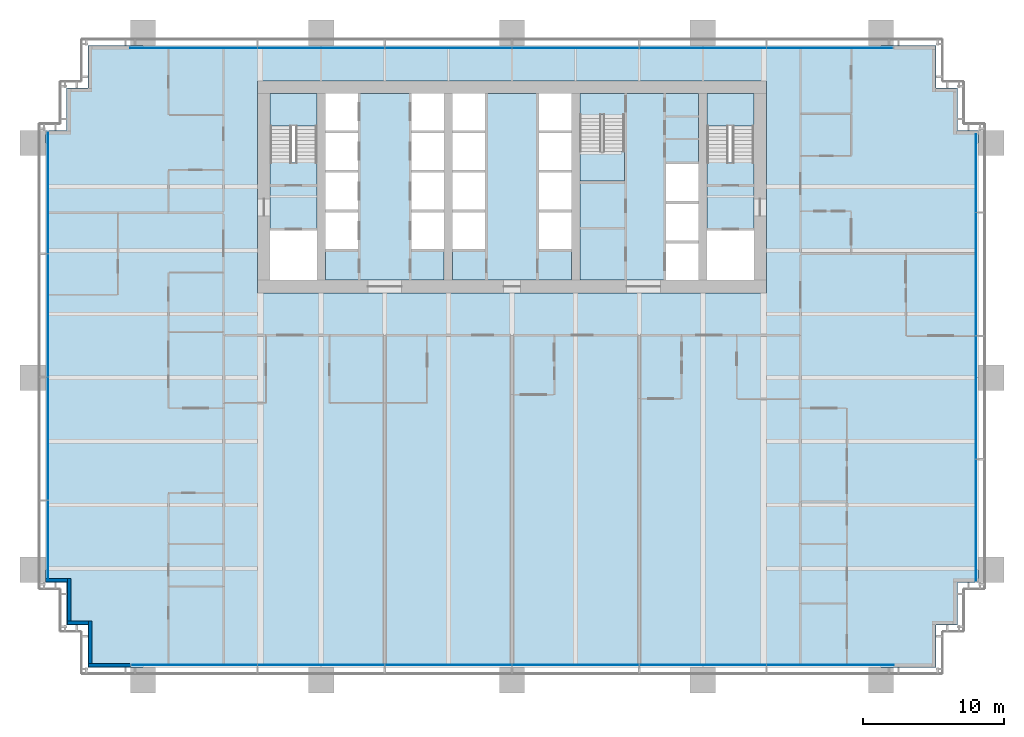
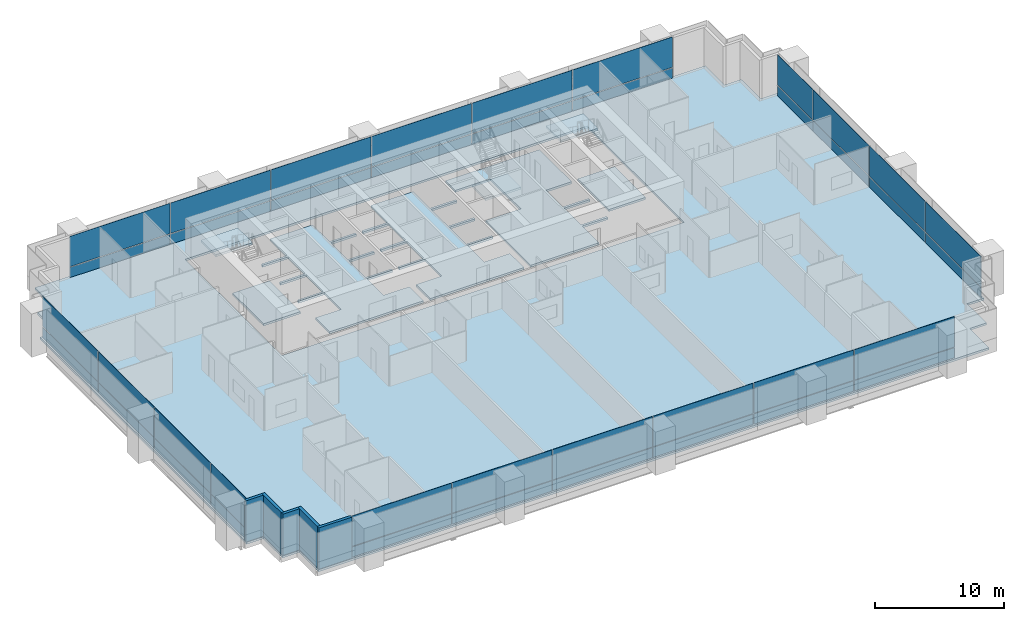
# One storey, part 10 of 20: 40 plates, 9 slabs, 5 walls, 7 elements without a shape of their own.
"""IFC4 building model written with IfcOpenShell, lengths in metres."""

from ifc_helpers import new_model, si_unit, direction, frame, frame_2d, origin, origin_2d, place, context, subcontext, project, spatial, polyline, rectangle, outline, extrude, material, layer, layer_set, type_object, element, aggregate, save


model = new_model("IFC4")

# Units and contexts
model_context = context("Model", 3, precision=1e-05, world=origin(), true_north=direction((0.0, 1.0)))
body_context = subcontext(model_context, "Body", "Model", "MODEL_VIEW")
ifc_project = project(units=[si_unit("LENGTHUNIT", "METRE"), si_unit("AREAUNIT", "SQUARE_METRE"), si_unit("VOLUMEUNIT", "CUBIC_METRE"), si_unit("PLANEANGLEUNIT", "RADIAN"), si_unit("MASSUNIT", "GRAM", prefix="KILO")], contexts=[model_context])

# Site, building, storey
site_placement = place(None, origin())
site = spatial("IfcSite", under=ifc_project, at=site_placement, CompositionType="ELEMENT")
building_placement = place(site_placement, origin())
building = spatial("IfcBuilding", under=site, at=building_placement, Name="Rattan Terrace Tower", CompositionType="ELEMENT")
storey_placement = place(building_placement, frame((0.0, 0.0, 40.60009765625)))
storey = spatial("IfcBuildingStorey", under=building, at=storey_placement, Name="L08", CompositionType="ELEMENT", Elevation=40.60009765625)

# Stair, slab
ifc_material_1 = material(Name="Concrete C40/50", Category="concrete")
stair_type = type_object("IfcStairType", Name="Core exit stair 1500", PredefinedType="HALF_TURN_STAIR", material=ifc_material_1)
stair_1_placement = place(storey_placement, origin())
stair_1 = element("IfcStair", 1, at=stair_1_placement, inside=storey, type_object=stair_type, Name="L08 exit stair 1", PredefinedType="HALF_TURN_STAIR")
ifc_material_2 = material(Name="Concrete C40/50", Category="concrete")
ifc_layer_1 = layer(ifc_material_2, 0.199951171875)
ifc_layer_set_1 = layer_set([ifc_layer_1], Name="Core exit stair landing")
slab_type_1 = type_object("IfcSlabType", Name="Core exit stair landing", PredefinedType="LANDING", material=ifc_layer_set_1)
slab_1_placement = place(storey_placement, frame((0.0, 0.0, 1.849853515625)))
slab_1 = element("IfcSlab", 2, at=slab_1_placement, type_object=slab_type_1, Name="S1 landing 1", PredefinedType="LANDING", context=body_context, shape_type="SweptSolid", body=[
    extrude(outline(polyline([(-13.800048828125, 4.300048828125), (-13.800048828125, 6.60009765625), (-17.10009765625, 6.60009765625), (-17.10009765625, 4.300048828125), (-13.800048828125, 4.300048828125)])), origin(), (0.0, 0.0, 1.0), 0.199951171875),
])
aggregate(stair_1, [slab_1])

stair_2_placement = place(storey_placement, origin())
stair_2 = element("IfcStair", 3, at=stair_2_placement, inside=storey, type_object=stair_type, Name="L08 exit stair 2", PredefinedType="HALF_TURN_STAIR")
slab_2_placement = place(storey_placement, frame((0.0, 0.0, 1.849853515625)))
slab_2 = element("IfcSlab", 4, at=slab_2_placement, type_object=slab_type_1, Name="S2 landing 1", PredefinedType="LANDING", context=body_context, shape_type="SweptSolid", body=[
    extrude(outline(polyline([(17.10009765625, 4.300048828125), (17.10009765625, 6.60009765625), (13.800048828125, 6.60009765625), (13.800048828125, 4.300048828125), (17.10009765625, 4.300048828125)])), origin(), (0.0, 0.0, 1.0), 0.199951171875),
])
aggregate(stair_2, [slab_2])

stair_3_placement = place(storey_placement, origin())
stair_3 = element("IfcStair", 5, at=stair_3_placement, inside=storey, type_object=stair_type, Name="L08 exit stair 3", PredefinedType="HALF_TURN_STAIR")
slab_3_placement = place(storey_placement, frame((0.0, 0.0, 1.849853515625)))
slab_3 = element("IfcSlab", 6, at=slab_3_placement, type_object=slab_type_1, Name="S3 landing 1", PredefinedType="LANDING", context=body_context, shape_type="SweptSolid", body=[
    extrude(outline(polyline([(4.800048828125, 2.5), (4.800048828125, 0.39990234375), (7.949951171875, 0.39990234375), (7.949951171875, 2.5), (4.800048828125, 2.5)])), origin(), (0.0, 0.0, 1.0), 0.199951171875),
])
aggregate(stair_3, [slab_3])

# Curtain wall, plates
ifc_material_3 = material(Name="Aluminium and glass", Category="aluminium")
curtain_wall_type = type_object("IfcCurtainWallType", Name="Facade Unitised Curtain Wall", PredefinedType="NOTDEFINED", material=ifc_material_3)
curtain_wall_1_placement = place(storey_placement, origin())
curtain_wall_1 = element("IfcCurtainWall", 7, at=curtain_wall_1_placement, inside=storey, type_object=curtain_wall_type, Name="Curtain wall L08-1", PredefinedType="NOTDEFINED")
ifc_material_4 = material(Name="Aluminium insulated spandrel panel", Category="aluminium")
ifc_layer_2 = layer(ifc_material_4, 0.028076171875)
ifc_layer_set_2 = layer_set([ifc_layer_2], Name="Facade CW Spandrel Panel")
plate_type_1 = type_object("IfcPlateType", Name="Facade CW Spandrel Panel", PredefinedType="CURTAIN_PANEL", material=ifc_layer_set_2)
plate_1_placement = place(storey_placement, frame((32.830078125, -23.59912109375, 0.0), z_axis=(0.0, 0.0, 1.0), x_axis=(0.0, 1.0, 0.0)))
plate_1 = element("IfcPlate", 8, at=plate_1_placement, type_object=plate_type_1, Name="Panel cwl-L08-001.1.1", PredefinedType="CURTAIN_PANEL", context=body_context, shape_type="SweptSolid", body=[
    extrude(rectangle(XDim=8.592041015625, YDim=0.028076171875, at=origin_2d()), origin(), (0.0, 0.0, 1.0), 0.969970703125),
])
plate_2_placement = place(storey_placement, frame((32.830078125, -14.909423828125, 0.0), z_axis=(0.0, 0.0, 1.0), x_axis=(0.0, 1.0, 0.0)))
plate_2 = element("IfcPlate", 9, at=plate_2_placement, type_object=plate_type_1, Name="Panel cwl-L08-001.2.1", PredefinedType="CURTAIN_PANEL", context=body_context, shape_type="SweptSolid", body=[
    extrude(rectangle(XDim=8.6669921875, YDim=0.028076171875, at=origin_2d()), origin(), (0.0, 0.0, 1.0), 0.969970703125),
])
plate_3_placement = place(storey_placement, frame((32.830078125, -6.1826171875, 0.0), z_axis=(0.0, 0.0, 1.0), x_axis=(0.0, 1.0, 0.0)))
plate_3 = element("IfcPlate", 10, at=plate_3_placement, type_object=plate_type_1, Name="Panel cwl-L08-001.3.1", PredefinedType="CURTAIN_PANEL", context=body_context, shape_type="SweptSolid", body=[
    extrude(rectangle(XDim=8.6669921875, YDim=0.028076171875, at=origin_2d()), origin(), (0.0, 0.0, 1.0), 0.969970703125),
])
plate_4_placement = place(storey_placement, frame((32.830078125, 0.9580078125, 0.0), z_axis=(0.0, 0.0, 1.0), x_axis=(0.0, 1.0, 0.0)))
plate_4 = element("IfcPlate", 11, at=plate_4_placement, type_object=plate_type_1, Name="Panel cwl-L08-001.4.1", PredefinedType="CURTAIN_PANEL", context=body_context, shape_type="SweptSolid", body=[
    extrude(rectangle(XDim=5.493896484375, YDim=0.028076171875, at=origin_2d()), origin(), (0.0, 0.0, 1.0), 0.969970703125),
])

curtain_wall_2_placement = place(storey_placement, origin())
curtain_wall_2 = element("IfcCurtainWall", 12, at=curtain_wall_2_placement, inside=storey, type_object=curtain_wall_type, Name="Curtain wall L08-2", PredefinedType="NOTDEFINED")
plate_5_placement = place(storey_placement, frame((22.485107421875, 9.830078125, 0.0), z_axis=(0.0, 0.0, 1.0), x_axis=(-1.0, 0.0, 0.0)))
plate_5 = element("IfcPlate", 13, at=plate_5_placement, type_object=plate_type_1, Name="Panel cwl-L08-002.1.1", PredefinedType="CURTAIN_PANEL", context=body_context, shape_type="SweptSolid", body=[
    extrude(rectangle(XDim=8.909912109375, YDim=0.028076171875, at=origin_2d()), origin(), (0.0, 0.0, 1.0), 0.969970703125),
])
plate_6_placement = place(storey_placement, frame((13.5, 9.830078125, 0.0), z_axis=(0.0, 0.0, 1.0), x_axis=(-1.0, 0.0, 0.0)))
plate_6 = element("IfcPlate", 14, at=plate_6_placement, type_object=plate_type_1, Name="Panel cwl-L08-002.2.1", PredefinedType="CURTAIN_PANEL", context=body_context, shape_type="SweptSolid", body=[
    extrude(rectangle(XDim=8.93994140625, YDim=0.028076171875, at=origin_2d()), origin(), (0.0, 0.0, 1.0), 0.969970703125),
])
plate_7_placement = place(storey_placement, frame((4.5, 9.830078125, 0.0), z_axis=(0.0, 0.0, 1.0), x_axis=(-1.0, 0.0, 0.0)))
plate_7 = element("IfcPlate", 15, at=plate_7_placement, type_object=plate_type_1, Name="Panel cwl-L08-002.3.1", PredefinedType="CURTAIN_PANEL", context=body_context, shape_type="SweptSolid", body=[
    extrude(rectangle(XDim=8.93994140625, YDim=0.028076171875, at=origin_2d()), origin(), (0.0, 0.0, 1.0), 0.969970703125),
])
plate_8_placement = place(storey_placement, frame((-4.5, 9.830078125, 0.0), z_axis=(0.0, 0.0, 1.0), x_axis=(-1.0, 0.0, 0.0)))
plate_8 = element("IfcPlate", 16, at=plate_8_placement, type_object=plate_type_1, Name="Panel cwl-L08-002.4.1", PredefinedType="CURTAIN_PANEL", context=body_context, shape_type="SweptSolid", body=[
    extrude(rectangle(XDim=8.93994140625, YDim=0.028076171875, at=origin_2d()), origin(), (0.0, 0.0, 1.0), 0.969970703125),
])
plate_9_placement = place(storey_placement, frame((-13.5, 9.830078125, 0.0), z_axis=(0.0, 0.0, 1.0), x_axis=(-1.0, 0.0, 0.0)))
plate_9 = element("IfcPlate", 17, at=plate_9_placement, type_object=plate_type_1, Name="Panel cwl-L08-002.5.1", PredefinedType="CURTAIN_PANEL", context=body_context, shape_type="SweptSolid", body=[
    extrude(rectangle(XDim=8.93994140625, YDim=0.028076171875, at=origin_2d()), origin(), (0.0, 0.0, 1.0), 0.969970703125),
])
plate_10_placement = place(storey_placement, frame((-22.514892578125, 9.830078125, 0.0), z_axis=(0.0, 0.0, 1.0), x_axis=(-1.0, 0.0, 0.0)))
plate_10 = element("IfcPlate", 18, at=plate_10_placement, type_object=plate_type_1, Name="Panel cwl-L08-002.6.1", PredefinedType="CURTAIN_PANEL", context=body_context, shape_type="SweptSolid", body=[
    extrude(rectangle(XDim=8.969970703125, YDim=0.028076171875, at=origin_2d()), origin(), (0.0, 0.0, 1.0), 0.969970703125),
])

curtain_wall_3_placement = place(storey_placement, origin())
curtain_wall_3 = element("IfcCurtainWall", 19, at=curtain_wall_3_placement, inside=storey, type_object=curtain_wall_type, Name="Curtain wall L08-3", PredefinedType="NOTDEFINED")
plate_11_placement = place(storey_placement, frame((-32.830078125, -0.40087890625, 0.0), z_axis=(0.0, 0.0, 1.0), x_axis=(0.0, -1.0, 0.0)))
plate_11 = element("IfcPlate", 20, at=plate_11_placement, type_object=plate_type_1, Name="Panel cwl-L08-003.1.1", PredefinedType="CURTAIN_PANEL", context=body_context, shape_type="SweptSolid", body=[
    extrude(rectangle(XDim=8.592041015625, YDim=0.028076171875, at=origin_2d()), origin(), (0.0, 0.0, 1.0), 0.969970703125),
])
plate_12_placement = place(storey_placement, frame((-32.830078125, -9.090576171875, 0.0), z_axis=(0.0, 0.0, 1.0), x_axis=(0.0, -1.0, 0.0)))
plate_12 = element("IfcPlate", 21, at=plate_12_placement, type_object=plate_type_1, Name="Panel cwl-L08-003.2.1", PredefinedType="CURTAIN_PANEL", context=body_context, shape_type="SweptSolid", body=[
    extrude(rectangle(XDim=8.6669921875, YDim=0.028076171875, at=origin_2d()), origin(), (0.0, 0.0, 1.0), 0.969970703125),
])
plate_13_placement = place(storey_placement, frame((-32.830078125, -17.8173828125, 0.0), z_axis=(0.0, 0.0, 1.0), x_axis=(0.0, -1.0, 0.0)))
plate_13 = element("IfcPlate", 22, at=plate_13_placement, type_object=plate_type_1, Name="Panel cwl-L08-003.3.1", PredefinedType="CURTAIN_PANEL", context=body_context, shape_type="SweptSolid", body=[
    extrude(rectangle(XDim=8.6669921875, YDim=0.028076171875, at=origin_2d()), origin(), (0.0, 0.0, 1.0), 0.969970703125),
])
plate_14_placement = place(storey_placement, frame((-32.830078125, -24.9580078125, 0.0), z_axis=(0.0, 0.0, 1.0), x_axis=(0.0, -1.0, 0.0)))
plate_14 = element("IfcPlate", 23, at=plate_14_placement, type_object=plate_type_1, Name="Panel cwl-L08-003.4.1", PredefinedType="CURTAIN_PANEL", context=body_context, shape_type="SweptSolid", body=[
    extrude(rectangle(XDim=5.493896484375, YDim=0.028076171875, at=origin_2d()), origin(), (0.0, 0.0, 1.0), 0.969970703125),
])

curtain_wall_4_placement = place(storey_placement, origin())
curtain_wall_4 = element("IfcCurtainWall", 24, at=curtain_wall_4_placement, inside=storey, type_object=curtain_wall_type, Name="Curtain wall L08-4", PredefinedType="NOTDEFINED")
plate_15_placement = place(storey_placement, frame((-22.485107421875, -33.830078125, 0.0), z_axis=(0.0, 0.0, 1.0), x_axis=(1.0, 0.0, 0.0)))
plate_15 = element("IfcPlate", 25, at=plate_15_placement, type_object=plate_type_1, Name="Panel cwl-L08-004.1.1", PredefinedType="CURTAIN_PANEL", context=body_context, shape_type="SweptSolid", body=[
    extrude(rectangle(XDim=8.909912109375, YDim=0.028076171875, at=origin_2d()), origin(), (0.0, 0.0, 1.0), 0.969970703125),
])
plate_16_placement = place(storey_placement, frame((-13.5, -33.830078125, 0.0), z_axis=(0.0, 0.0, 1.0), x_axis=(1.0, 0.0, 0.0)))
plate_16 = element("IfcPlate", 26, at=plate_16_placement, type_object=plate_type_1, Name="Panel cwl-L08-004.2.1", PredefinedType="CURTAIN_PANEL", context=body_context, shape_type="SweptSolid", body=[
    extrude(rectangle(XDim=8.93994140625, YDim=0.028076171875, at=origin_2d()), origin(), (0.0, 0.0, 1.0), 0.969970703125),
])
plate_17_placement = place(storey_placement, frame((-4.5, -33.830078125, 0.0), z_axis=(0.0, 0.0, 1.0), x_axis=(1.0, 0.0, 0.0)))
plate_17 = element("IfcPlate", 27, at=plate_17_placement, type_object=plate_type_1, Name="Panel cwl-L08-004.3.1", PredefinedType="CURTAIN_PANEL", context=body_context, shape_type="SweptSolid", body=[
    extrude(rectangle(XDim=8.93994140625, YDim=0.028076171875, at=origin_2d()), origin(), (0.0, 0.0, 1.0), 0.969970703125),
])
plate_18_placement = place(storey_placement, frame((4.5, -33.830078125, 0.0), z_axis=(0.0, 0.0, 1.0), x_axis=(1.0, 0.0, 0.0)))
plate_18 = element("IfcPlate", 28, at=plate_18_placement, type_object=plate_type_1, Name="Panel cwl-L08-004.4.1", PredefinedType="CURTAIN_PANEL", context=body_context, shape_type="SweptSolid", body=[
    extrude(rectangle(XDim=8.93994140625, YDim=0.028076171875, at=origin_2d()), origin(), (0.0, 0.0, 1.0), 0.969970703125),
])
plate_19_placement = place(storey_placement, frame((13.5, -33.830078125, 0.0), z_axis=(0.0, 0.0, 1.0), x_axis=(1.0, 0.0, 0.0)))
plate_19 = element("IfcPlate", 29, at=plate_19_placement, type_object=plate_type_1, Name="Panel cwl-L08-004.5.1", PredefinedType="CURTAIN_PANEL", context=body_context, shape_type="SweptSolid", body=[
    extrude(rectangle(XDim=8.93994140625, YDim=0.028076171875, at=origin_2d()), origin(), (0.0, 0.0, 1.0), 0.969970703125),
])
plate_20_placement = place(storey_placement, frame((22.514892578125, -33.830078125, 0.0), z_axis=(0.0, 0.0, 1.0), x_axis=(1.0, 0.0, 0.0)))
plate_20 = element("IfcPlate", 30, at=plate_20_placement, type_object=plate_type_1, Name="Panel cwl-L08-004.6.1", PredefinedType="CURTAIN_PANEL", context=body_context, shape_type="SweptSolid", body=[
    extrude(rectangle(XDim=8.969970703125, YDim=0.028076171875, at=origin_2d()), origin(), (0.0, 0.0, 1.0), 0.969970703125),
])

# Plate
ifc_material_5 = material(Name="Clear low-iron glass", Category="glass")
ifc_layer_3 = layer(ifc_material_5, 0.028076171875)
ifc_layer_set_3 = layer_set([ifc_layer_3], Name="Facade CW Vision Panel")
plate_type_2 = type_object("IfcPlateType", Name="Facade CW Vision Panel", PredefinedType="CURTAIN_PANEL", material=ifc_layer_set_3)
plate_21_placement = place(storey_placement, frame((32.830078125, -23.59912109375, 1.02978515625), z_axis=(0.0, 0.0, 1.0), x_axis=(0.0, 1.0, 0.0)))
plate_21 = element("IfcPlate", 31, at=plate_21_placement, type_object=plate_type_2, Name="Panel cwl-L08-001.1.2", PredefinedType="CURTAIN_PANEL", context=body_context, shape_type="SweptSolid", body=[
    extrude(rectangle(XDim=8.592041015625, YDim=0.028076171875, at=origin_2d()), origin(), (0.0, 0.0, 1.0), 2.8701171875),
])

plate_22_placement = place(storey_placement, frame((32.830078125, -14.909423828125, 1.02978515625), z_axis=(0.0, 0.0, 1.0), x_axis=(0.0, 1.0, 0.0)))
plate_22 = element("IfcPlate", 32, at=plate_22_placement, type_object=plate_type_2, Name="Panel cwl-L08-001.2.2", PredefinedType="CURTAIN_PANEL", context=body_context, shape_type="SweptSolid", body=[
    extrude(rectangle(XDim=8.6669921875, YDim=0.028076171875, at=origin_2d()), origin(), (0.0, 0.0, 1.0), 2.8701171875),
])

plate_23_placement = place(storey_placement, frame((32.830078125, -6.1826171875, 1.02978515625), z_axis=(0.0, 0.0, 1.0), x_axis=(0.0, 1.0, 0.0)))
plate_23 = element("IfcPlate", 33, at=plate_23_placement, type_object=plate_type_2, Name="Panel cwl-L08-001.3.2", PredefinedType="CURTAIN_PANEL", context=body_context, shape_type="SweptSolid", body=[
    extrude(rectangle(XDim=8.6669921875, YDim=0.028076171875, at=origin_2d()), origin(), (0.0, 0.0, 1.0), 2.8701171875),
])

plate_24_placement = place(storey_placement, frame((32.830078125, 0.9580078125, 1.02978515625), z_axis=(0.0, 0.0, 1.0), x_axis=(0.0, 1.0, 0.0)))
plate_24 = element("IfcPlate", 34, at=plate_24_placement, type_object=plate_type_2, Name="Panel cwl-L08-001.4.2", PredefinedType="CURTAIN_PANEL", context=body_context, shape_type="SweptSolid", body=[
    extrude(rectangle(XDim=5.493896484375, YDim=0.028076171875, at=origin_2d()), origin(), (0.0, 0.0, 1.0), 2.8701171875),
])

aggregate(curtain_wall_1, [plate_1, plate_21, plate_2, plate_22, plate_3, plate_23, plate_4, plate_24])

plate_25_placement = place(storey_placement, frame((22.485107421875, 9.830078125, 1.02978515625), z_axis=(0.0, 0.0, 1.0), x_axis=(-1.0, 0.0, 0.0)))
plate_25 = element("IfcPlate", 35, at=plate_25_placement, type_object=plate_type_2, Name="Panel cwl-L08-002.1.2", PredefinedType="CURTAIN_PANEL", context=body_context, shape_type="SweptSolid", body=[
    extrude(rectangle(XDim=8.909912109375, YDim=0.028076171875, at=origin_2d()), origin(), (0.0, 0.0, 1.0), 2.8701171875),
])

plate_26_placement = place(storey_placement, frame((13.5, 9.830078125, 1.02978515625), z_axis=(0.0, 0.0, 1.0), x_axis=(-1.0, 0.0, 0.0)))
plate_26 = element("IfcPlate", 36, at=plate_26_placement, type_object=plate_type_2, Name="Panel cwl-L08-002.2.2", PredefinedType="CURTAIN_PANEL", context=body_context, shape_type="SweptSolid", body=[
    extrude(rectangle(XDim=8.93994140625, YDim=0.028076171875, at=origin_2d()), origin(), (0.0, 0.0, 1.0), 2.8701171875),
])

plate_27_placement = place(storey_placement, frame((4.5, 9.830078125, 1.02978515625), z_axis=(0.0, 0.0, 1.0), x_axis=(-1.0, 0.0, 0.0)))
plate_27 = element("IfcPlate", 37, at=plate_27_placement, type_object=plate_type_2, Name="Panel cwl-L08-002.3.2", PredefinedType="CURTAIN_PANEL", context=body_context, shape_type="SweptSolid", body=[
    extrude(rectangle(XDim=8.93994140625, YDim=0.028076171875, at=origin_2d()), origin(), (0.0, 0.0, 1.0), 2.8701171875),
])

plate_28_placement = place(storey_placement, frame((-4.5, 9.830078125, 1.02978515625), z_axis=(0.0, 0.0, 1.0), x_axis=(-1.0, 0.0, 0.0)))
plate_28 = element("IfcPlate", 38, at=plate_28_placement, type_object=plate_type_2, Name="Panel cwl-L08-002.4.2", PredefinedType="CURTAIN_PANEL", context=body_context, shape_type="SweptSolid", body=[
    extrude(rectangle(XDim=8.93994140625, YDim=0.028076171875, at=origin_2d()), origin(), (0.0, 0.0, 1.0), 2.8701171875),
])

plate_29_placement = place(storey_placement, frame((-13.5, 9.830078125, 1.02978515625), z_axis=(0.0, 0.0, 1.0), x_axis=(-1.0, 0.0, 0.0)))
plate_29 = element("IfcPlate", 39, at=plate_29_placement, type_object=plate_type_2, Name="Panel cwl-L08-002.5.2", PredefinedType="CURTAIN_PANEL", context=body_context, shape_type="SweptSolid", body=[
    extrude(rectangle(XDim=8.93994140625, YDim=0.028076171875, at=origin_2d()), origin(), (0.0, 0.0, 1.0), 2.8701171875),
])

plate_30_placement = place(storey_placement, frame((-22.514892578125, 9.830078125, 1.02978515625), z_axis=(0.0, 0.0, 1.0), x_axis=(-1.0, 0.0, 0.0)))
plate_30 = element("IfcPlate", 40, at=plate_30_placement, type_object=plate_type_2, Name="Panel cwl-L08-002.6.2", PredefinedType="CURTAIN_PANEL", context=body_context, shape_type="SweptSolid", body=[
    extrude(rectangle(XDim=8.969970703125, YDim=0.028076171875, at=origin_2d()), origin(), (0.0, 0.0, 1.0), 2.8701171875),
])

aggregate(curtain_wall_2, [plate_5, plate_25, plate_6, plate_26, plate_7, plate_27, plate_8, plate_28, plate_9, plate_29, plate_10, plate_30])

plate_31_placement = place(storey_placement, frame((-32.830078125, -0.40087890625, 1.02978515625), z_axis=(0.0, 0.0, 1.0), x_axis=(0.0, -1.0, 0.0)))
plate_31 = element("IfcPlate", 41, at=plate_31_placement, type_object=plate_type_2, Name="Panel cwl-L08-003.1.2", PredefinedType="CURTAIN_PANEL", context=body_context, shape_type="SweptSolid", body=[
    extrude(rectangle(XDim=8.592041015625, YDim=0.028076171875, at=origin_2d()), origin(), (0.0, 0.0, 1.0), 2.8701171875),
])

plate_32_placement = place(storey_placement, frame((-32.830078125, -9.090576171875, 1.02978515625), z_axis=(0.0, 0.0, 1.0), x_axis=(0.0, -1.0, 0.0)))
plate_32 = element("IfcPlate", 42, at=plate_32_placement, type_object=plate_type_2, Name="Panel cwl-L08-003.2.2", PredefinedType="CURTAIN_PANEL", context=body_context, shape_type="SweptSolid", body=[
    extrude(rectangle(XDim=8.6669921875, YDim=0.028076171875, at=origin_2d()), origin(), (0.0, 0.0, 1.0), 2.8701171875),
])

plate_33_placement = place(storey_placement, frame((-32.830078125, -17.8173828125, 1.02978515625), z_axis=(0.0, 0.0, 1.0), x_axis=(0.0, -1.0, 0.0)))
plate_33 = element("IfcPlate", 43, at=plate_33_placement, type_object=plate_type_2, Name="Panel cwl-L08-003.3.2", PredefinedType="CURTAIN_PANEL", context=body_context, shape_type="SweptSolid", body=[
    extrude(rectangle(XDim=8.6669921875, YDim=0.028076171875, at=origin_2d()), origin(), (0.0, 0.0, 1.0), 2.8701171875),
])

plate_34_placement = place(storey_placement, frame((-32.830078125, -24.9580078125, 1.02978515625), z_axis=(0.0, 0.0, 1.0), x_axis=(0.0, -1.0, 0.0)))
plate_34 = element("IfcPlate", 44, at=plate_34_placement, type_object=plate_type_2, Name="Panel cwl-L08-003.4.2", PredefinedType="CURTAIN_PANEL", context=body_context, shape_type="SweptSolid", body=[
    extrude(rectangle(XDim=5.493896484375, YDim=0.028076171875, at=origin_2d()), origin(), (0.0, 0.0, 1.0), 2.8701171875),
])

aggregate(curtain_wall_3, [plate_11, plate_31, plate_12, plate_32, plate_13, plate_33, plate_14, plate_34])

plate_35_placement = place(storey_placement, frame((-22.485107421875, -33.830078125, 1.02978515625), z_axis=(0.0, 0.0, 1.0), x_axis=(1.0, 0.0, 0.0)))
plate_35 = element("IfcPlate", 45, at=plate_35_placement, type_object=plate_type_2, Name="Panel cwl-L08-004.1.2", PredefinedType="CURTAIN_PANEL", context=body_context, shape_type="SweptSolid", body=[
    extrude(rectangle(XDim=8.909912109375, YDim=0.028076171875, at=origin_2d()), origin(), (0.0, 0.0, 1.0), 2.8701171875),
])

plate_36_placement = place(storey_placement, frame((-13.5, -33.830078125, 1.02978515625), z_axis=(0.0, 0.0, 1.0), x_axis=(1.0, 0.0, 0.0)))
plate_36 = element("IfcPlate", 46, at=plate_36_placement, type_object=plate_type_2, Name="Panel cwl-L08-004.2.2", PredefinedType="CURTAIN_PANEL", context=body_context, shape_type="SweptSolid", body=[
    extrude(rectangle(XDim=8.93994140625, YDim=0.028076171875, at=origin_2d()), origin(), (0.0, 0.0, 1.0), 2.8701171875),
])

plate_37_placement = place(storey_placement, frame((-4.5, -33.830078125, 1.02978515625), z_axis=(0.0, 0.0, 1.0), x_axis=(1.0, 0.0, 0.0)))
plate_37 = element("IfcPlate", 47, at=plate_37_placement, type_object=plate_type_2, Name="Panel cwl-L08-004.3.2", PredefinedType="CURTAIN_PANEL", context=body_context, shape_type="SweptSolid", body=[
    extrude(rectangle(XDim=8.93994140625, YDim=0.028076171875, at=origin_2d()), origin(), (0.0, 0.0, 1.0), 2.8701171875),
])

plate_38_placement = place(storey_placement, frame((4.5, -33.830078125, 1.02978515625), z_axis=(0.0, 0.0, 1.0), x_axis=(1.0, 0.0, 0.0)))
plate_38 = element("IfcPlate", 48, at=plate_38_placement, type_object=plate_type_2, Name="Panel cwl-L08-004.4.2", PredefinedType="CURTAIN_PANEL", context=body_context, shape_type="SweptSolid", body=[
    extrude(rectangle(XDim=8.93994140625, YDim=0.028076171875, at=origin_2d()), origin(), (0.0, 0.0, 1.0), 2.8701171875),
])

plate_39_placement = place(storey_placement, frame((13.5, -33.830078125, 1.02978515625), z_axis=(0.0, 0.0, 1.0), x_axis=(1.0, 0.0, 0.0)))
plate_39 = element("IfcPlate", 49, at=plate_39_placement, type_object=plate_type_2, Name="Panel cwl-L08-004.5.2", PredefinedType="CURTAIN_PANEL", context=body_context, shape_type="SweptSolid", body=[
    extrude(rectangle(XDim=8.93994140625, YDim=0.028076171875, at=origin_2d()), origin(), (0.0, 0.0, 1.0), 2.8701171875),
])

plate_40_placement = place(storey_placement, frame((22.514892578125, -33.830078125, 1.02978515625), z_axis=(0.0, 0.0, 1.0), x_axis=(1.0, 0.0, 0.0)))
plate_40 = element("IfcPlate", 50, at=plate_40_placement, type_object=plate_type_2, Name="Panel cwl-L08-004.6.2", PredefinedType="CURTAIN_PANEL", context=body_context, shape_type="SweptSolid", body=[
    extrude(rectangle(XDim=8.969970703125, YDim=0.028076171875, at=origin_2d()), origin(), (0.0, 0.0, 1.0), 2.8701171875),
])

aggregate(curtain_wall_4, [plate_15, plate_35, plate_16, plate_36, plate_17, plate_37, plate_18, plate_38, plate_19, plate_39, plate_20, plate_40])

# Slabs
ifc_material_6 = material(Name="Concrete C35/45", Category="concrete")
ifc_layer_4 = layer(ifc_material_6, 0.199951171875)
ifc_layer_set_4 = layer_set([ifc_layer_4], Name="Frame composite floor slab 200")
slab_type_2 = type_object("IfcSlabType", Name="Frame composite floor slab 200", PredefinedType="FLOOR", material=ifc_layer_set_4)
slab_4_placement = place(storey_placement, frame((0.0, 0.0, -0.2001953125)))
element("IfcSlab", 51, at=slab_4_placement, inside=storey, type_object=slab_type_2, Name="Floor slab", PredefinedType="FLOOR", context=body_context, shape_type="SweptSolid", body=[
    extrude(outline(polyline([(-27.0, -34.0), (27.0, -34.0), (30.0, -34.0), (30.0, -31.0), (31.5, -31.0), (31.5, -28.0), (33.0, -28.0), (33.0, 4.0), (31.5, 4.0), (31.5, 7.0), (30.0, 7.0), (30.0, 10.0), (27.0, 10.0), (-27.0, 10.0), (-30.0, 10.0), (-30.0, 7.0), (-31.5, 7.0), (-31.5, 4.0), (-33.0, 4.0), (-33.0, -28.0), (-31.5, -28.0), (-31.5, -31.0), (-30.0, -31.0), (-30.0, -34.0), (-27.0, -34.0)]), holes=[polyline([(-18.0, -6.60009765625), (-18.0, -7.5), (18.0, -7.5), (18.0, -6.60009765625), (18.0, 6.60009765625), (18.0, 7.5), (-18.0, 7.5), (-18.0, 6.60009765625), (-18.0, -6.60009765625)])]), origin(), (0.0, 0.0, 1.0), 0.2001953125),
])
slab_5_placement = place(storey_placement, frame((0.0, 0.0, -0.2001953125)))
element("IfcSlab", 52, at=slab_5_placement, inside=storey, type_object=slab_type_2, Name="Floor slab", PredefinedType="FLOOR", context=body_context, shape_type="SweptSolid", body=[
    extrude(outline(polyline([(-10.89990234375, 6.60009765625), (-10.89990234375, 4.0), (-13.199951171875, 4.0), (-13.199951171875, 3.800048828125), (-10.89990234375, 3.800048828125), (-10.89990234375, 1.199951171875), (-13.199951171875, 1.199951171875), (-13.199951171875, 1.0), (-10.89990234375, 1.0), (-10.89990234375, -1.60009765625), (-13.199951171875, -1.60009765625), (-13.199951171875, -1.800048828125), (-10.89990234375, -1.800048828125), (-10.89990234375, -4.39990234375), (-13.199951171875, -4.39990234375), (-13.199951171875, -6.60009765625), (-4.800048828125, -6.60009765625), (-4.800048828125, -4.39990234375), (-7.10009765625, -4.39990234375), (-7.10009765625, -1.800048828125), (-4.800048828125, -1.800048828125), (-4.800048828125, -1.60009765625), (-7.10009765625, -1.60009765625), (-7.10009765625, 1.0), (-4.800048828125, 1.0), (-4.800048828125, 1.199951171875), (-7.10009765625, 1.199951171875), (-7.10009765625, 3.800048828125), (-4.800048828125, 3.800048828125), (-4.800048828125, 4.0), (-7.10009765625, 4.0), (-7.10009765625, 6.60009765625), (-10.89990234375, 6.60009765625)])), origin(), (0.0, 0.0, 1.0), 0.2001953125),
])
slab_6_placement = place(storey_placement, frame((0.0, 0.0, -0.2001953125)))
element("IfcSlab", 53, at=slab_6_placement, inside=storey, type_object=slab_type_2, Name="Floor slab", PredefinedType="FLOOR", context=body_context, shape_type="SweptSolid", body=[
    extrude(outline(polyline([(-17.10009765625, -3.10009765625), (-13.800048828125, -3.10009765625), (-13.800048828125, 1.7099609375), (-17.10009765625, 1.7099609375), (-17.10009765625, -3.10009765625)])), origin(), (0.0, 0.0, 1.0), 0.2001953125),
])
slab_7_placement = place(storey_placement, frame((0.0, 0.0, -0.2001953125)))
element("IfcSlab", 54, at=slab_7_placement, inside=storey, type_object=slab_type_2, Name="Floor slab", PredefinedType="FLOOR", context=body_context, shape_type="SweptSolid", body=[
    extrude(outline(polyline([(-4.199951171875, 4.0), (-4.199951171875, 3.800048828125), (-1.89990234375, 3.800048828125), (-1.89990234375, 1.199951171875), (-4.199951171875, 1.199951171875), (-4.199951171875, 1.0), (-1.89990234375, 1.0), (-1.89990234375, -1.60009765625), (-4.199951171875, -1.60009765625), (-4.199951171875, -1.800048828125), (-1.89990234375, -1.800048828125), (-1.89990234375, -4.39990234375), (-4.199951171875, -4.39990234375), (-4.199951171875, -6.60009765625), (4.199951171875, -6.60009765625), (4.199951171875, -4.39990234375), (1.89990234375, -4.39990234375), (1.89990234375, -1.800048828125), (4.199951171875, -1.800048828125), (4.199951171875, -1.60009765625), (1.89990234375, -1.60009765625), (1.89990234375, 1.0), (4.199951171875, 1.0), (4.199951171875, 1.199951171875), (1.89990234375, 1.199951171875), (1.89990234375, 3.800048828125), (4.199951171875, 3.800048828125), (4.199951171875, 4.0), (1.89990234375, 4.0), (1.89990234375, 6.60009765625), (-1.89990234375, 6.60009765625), (-1.89990234375, 4.0), (-4.199951171875, 4.0)])), origin(), (0.0, 0.0, 1.0), 0.2001953125),
])
slab_8_placement = place(storey_placement, frame((0.0, 0.0, -0.2001953125)))
element("IfcSlab", 55, at=slab_8_placement, inside=storey, type_object=slab_type_2, Name="Floor slab", PredefinedType="FLOOR", context=body_context, shape_type="SweptSolid", body=[
    extrude(outline(polyline([(4.800048828125, 5.090087890625), (7.949951171875, 5.090087890625), (7.949951171875, 0.39990234375), (4.800048828125, 0.39990234375), (4.800048828125, -6.60009765625), (10.89990234375, -6.60009765625), (10.89990234375, -4.0), (13.199951171875, -4.0), (13.199951171875, -3.800048828125), (10.89990234375, -3.800048828125), (10.89990234375, -1.199951171875), (13.199951171875, -1.199951171875), (13.199951171875, -1.0), (10.89990234375, -1.0), (10.89990234375, 1.60009765625), (13.199951171875, 1.60009765625), (13.199951171875, 6.60009765625), (4.800048828125, 6.60009765625), (4.800048828125, 5.090087890625)])), origin(), (0.0, 0.0, 1.0), 0.2001953125),
])
slab_9_placement = place(storey_placement, frame((0.0, 0.0, -0.2001953125)))
element("IfcSlab", 56, at=slab_9_placement, inside=storey, type_object=slab_type_2, Name="Floor slab", PredefinedType="FLOOR", context=body_context, shape_type="SweptSolid", body=[
    extrude(outline(polyline([(13.800048828125, -3.10009765625), (17.10009765625, -3.10009765625), (17.10009765625, 1.7099609375), (13.800048828125, 1.7099609375), (13.800048828125, -3.10009765625)])), origin(), (0.0, 0.0, 1.0), 0.2001953125),
])

# Walls
ifc_material_7 = material(Name="Insulated aluminium-clad stud wall", Category="aluminium")
ifc_layer_5 = layer(ifc_material_7, 0.25)
ifc_layer_set_5 = layer_set([ifc_layer_5], Name="Facade Riser Wall 250")
wall_type = type_object("IfcWallType", Name="Facade Riser Wall 250", PredefinedType="SOLIDWALL", material=ifc_layer_set_5)
wall_1_placement = place(storey_placement, frame((-33.0048828125, -27.830078125, 0.0), z_axis=(0.0, 0.0, 1.0), x_axis=(1.0, 0.0, 0.0)))
element("IfcWall", 57, at=wall_1_placement, inside=storey, type_object=wall_type, Name="Riser wall L08-16", PredefinedType="SOLIDWALL", context=body_context, shape_type="SweptSolid", body=[
    extrude(rectangle(XDim=1.5498046875, YDim=0.25, at=frame_2d((0.77490234375, 0.0))), origin(), (0.0, 0.0, 1.0), 3.89990234375),
])
wall_2_placement = place(storey_placement, frame((-31.330078125, -27.705078125, 0.0), z_axis=(0.0, 0.0, 1.0), x_axis=(0.0, -1.0, 0.0)))
element("IfcWall", 58, at=wall_2_placement, inside=storey, type_object=wall_type, Name="Riser wall L08-17", PredefinedType="SOLIDWALL", context=body_context, shape_type="SweptSolid", body=[
    extrude(rectangle(XDim=3.0, YDim=0.25, at=frame_2d((1.5, 0.0))), origin(), (0.0, 0.0, 1.0), 3.89990234375),
])
wall_3_placement = place(storey_placement, frame((-31.455078125, -30.830078125, 0.0), z_axis=(0.0, 0.0, 1.0), x_axis=(1.0, 0.0, 0.0)))
element("IfcWall", 59, at=wall_3_placement, inside=storey, type_object=wall_type, Name="Riser wall L08-18", PredefinedType="SOLIDWALL", context=body_context, shape_type="SweptSolid", body=[
    extrude(rectangle(XDim=1.5, YDim=0.25, at=frame_2d((0.75, 0.0))), origin(), (0.0, 0.0, 1.0), 3.89990234375),
])
wall_4_placement = place(storey_placement, frame((-29.830078125, -30.705078125, 0.0), z_axis=(0.0, 0.0, 1.0), x_axis=(0.0, -1.0, 0.0)))
element("IfcWall", 60, at=wall_4_placement, inside=storey, type_object=wall_type, Name="Riser wall L08-19", PredefinedType="SOLIDWALL", context=body_context, shape_type="SweptSolid", body=[
    extrude(rectangle(XDim=3.0, YDim=0.25, at=frame_2d((1.5, 0.0))), origin(), (0.0, 0.0, 1.0), 3.89990234375),
])
wall_5_placement = place(storey_placement, frame((-29.955078125, -33.830078125, 0.0), z_axis=(0.0, 0.0, 1.0), x_axis=(1.0, 0.0, 0.0)))
element("IfcWall", 61, at=wall_5_placement, inside=storey, type_object=wall_type, Name="Riser wall L08-20", PredefinedType="SOLIDWALL", context=body_context, shape_type="SweptSolid", body=[
    extrude(rectangle(XDim=2.955078125, YDim=0.25, at=frame_2d((1.4775390625, 0.0))), origin(), (0.0, 0.0, 1.0), 3.89990234375),
])

save(model, "model.ifc")
